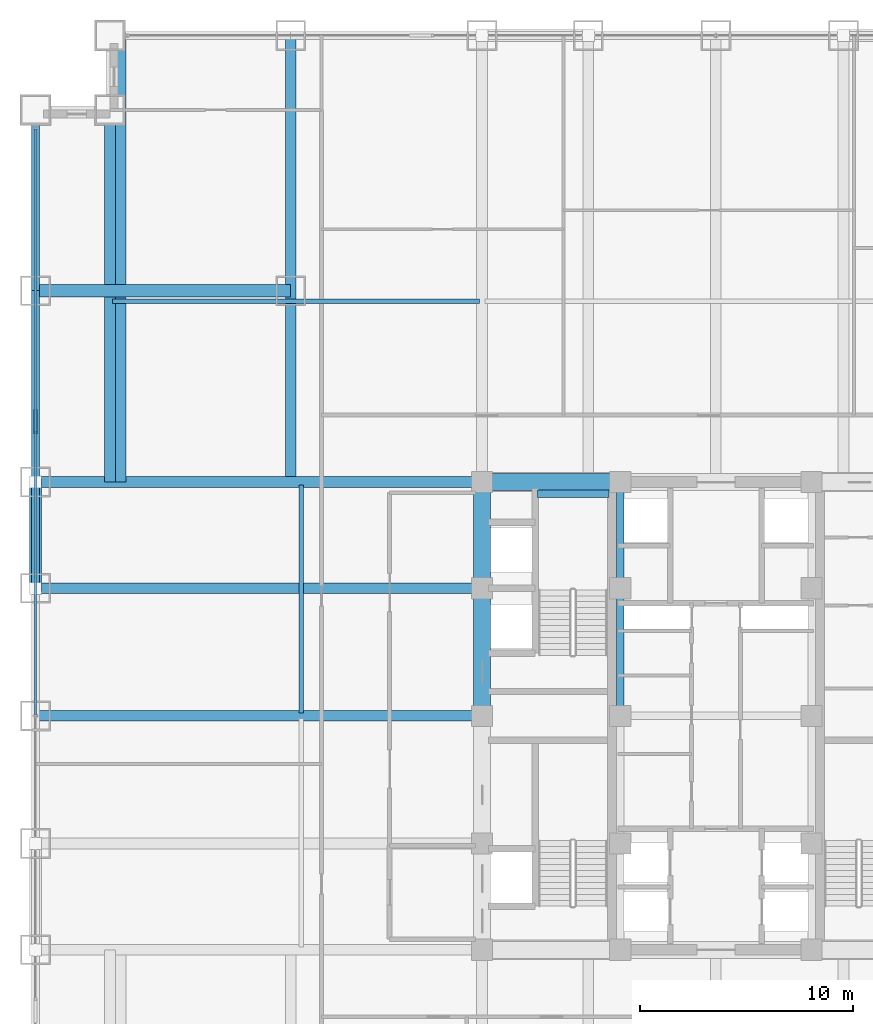
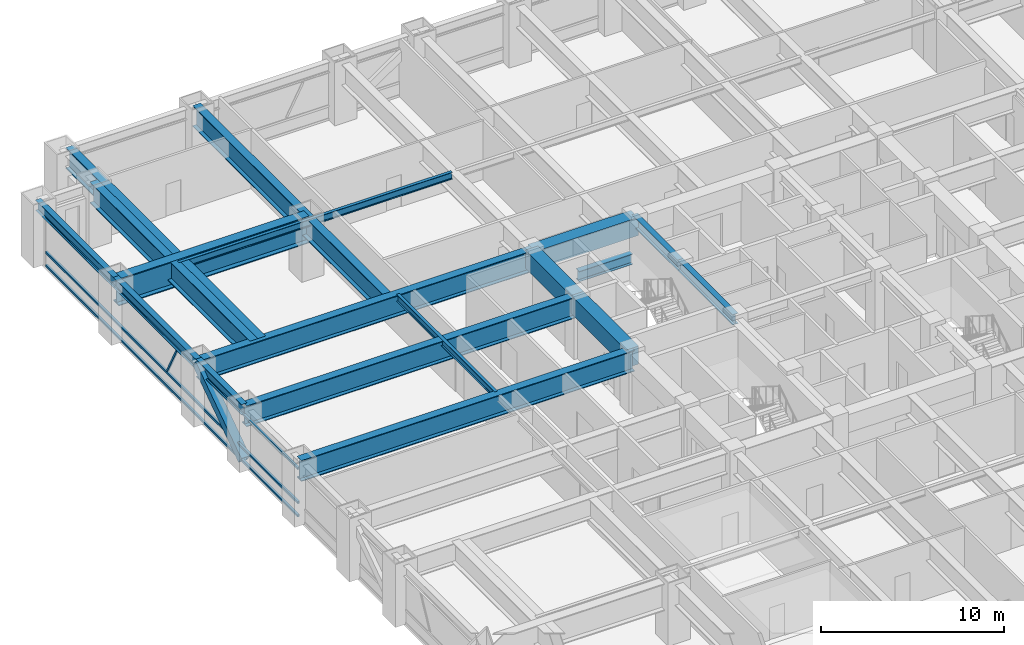
# One storey, part 9 of 29: 18 beams, 5 members, 1 element without a shape of its own.
"""IFC4 building model written with IfcOpenShell, lengths in metres."""

from ifc_helpers import new_model, si_unit, direction, frame, origin, origin_2d, place, context, subcontext, project, spatial, rectangle, hollow_rectangle, i_section, extrude, source, transform, mapped, material, material_profile, profile_set, type_object, element, aggregate, save


model = new_model("IFC4")

# Units and contexts
model_context = context("Model", 3, precision=1e-05, world=origin(), true_north=direction((0.0, 1.0)))
body_context = subcontext(model_context, "Body", "Model", "MODEL_VIEW")
ifc_project = project(units=[si_unit("LENGTHUNIT", "METRE"), si_unit("AREAUNIT", "SQUARE_METRE"), si_unit("VOLUMEUNIT", "CUBIC_METRE"), si_unit("PLANEANGLEUNIT", "RADIAN"), si_unit("MASSUNIT", "GRAM", prefix="KILO")], contexts=[model_context])

# Site, building, storey
site_placement = place(None, origin())
site = spatial("IfcSite", under=ifc_project, at=site_placement, CompositionType="ELEMENT")
building_placement = place(site_placement, origin())
building = spatial("IfcBuilding", under=site, at=building_placement, Name="Khorayat Bourse Tower", CompositionType="ELEMENT")
storey_placement = place(building_placement, frame((0.0, 0.0, 87.199951171875)))
storey = spatial("IfcBuildingStorey", under=building, at=storey_placement, Name="L19", CompositionType="ELEMENT", Elevation=87.199951171875)

# Beams
ifc_material_1 = material(Name="Concrete C72/90", Category="concrete")
ifc_material_profile_1 = material_profile(ifc_material_1, rectangle(XDim=0.800048828125, YDim=1.199951171875, at=origin_2d()), Name="RC 800x1200")
ifc_profile_set_1 = profile_set([ifc_material_profile_1], Name="Concrete C72/90")
beam_type_1 = type_object("IfcBeamType", Name="BM-COUP-1200", PredefinedType="BEAM", material=ifc_profile_set_1)
shared_shape_1 = source(origin(), body_context, "Body", "SweptSolid", [
    extrude(rectangle(XDim=0.800048828125, YDim=1.199951171875, at=origin_2d()), origin(), (0.0, 0.0, 1.0), 5.0),
])
beam_1_placement = place(storey_placement, frame((-11.0, 6.0, 3.340087890625), z_axis=(0.0, 1.0, 0.0), x_axis=(-1.0, 0.0, 0.0)))
element("IfcBeam", 1, at=beam_1_placement, inside=storey, type_object=beam_type_1, Name="L19 BM-COUP-1200 BM-L19-CRX-04", PredefinedType="BEAM", context=body_context, shape_type="MappedRepresentation", body=[
    mapped(shared_shape_1, transform((0.0, 0.0, 0.0), scale=1.0)),
])
shared_shape_2 = source(origin(), body_context, "Body", "SweptSolid", [
    extrude(rectangle(XDim=0.800048828125, YDim=1.199951171875, at=origin_2d()), origin(), (0.0, 0.0, 1.0), 6.0),
])
beam_2_placement = place(storey_placement, frame((-11.0, 0.0, 3.340087890625), z_axis=(0.0, 1.0, 0.0), x_axis=(-1.0, 0.0, 0.0)))
element("IfcBeam", 2, at=beam_2_placement, inside=storey, type_object=beam_type_1, Name="L19 BM-COUP-1200 BM-L19-CRX-03", PredefinedType="BEAM", context=body_context, shape_type="MappedRepresentation", body=[
    mapped(shared_shape_2, transform((0.0, 0.0, 0.0), scale=1.0)),
])
ifc_material_2 = material(Name="Steel ASTM A992 Grade 50", Category="steel")
ifc_material_profile_2 = material_profile(ifc_material_2, i_section(OverallWidth=0.35498046875, OverallDepth=0.695068359375, WebThickness=0.015380859375, FlangeThickness=0.02490234375, FilletRadius=0.01806640625, at=origin_2d()), Name="W690X217")
ifc_profile_set_2 = profile_set([ifc_material_profile_2], Name="Steel ASTM A992 Grade 50")
beam_type_2 = type_object("IfcBeamType", Name="BM-GIRD-690", PredefinedType="BEAM", material=ifc_profile_set_2)
shared_shape_3 = source(origin(), body_context, "Body", "SweptSolid", [
    extrude(i_section(OverallWidth=0.35498046875, OverallDepth=0.695068359375, WebThickness=0.015380859375, FlangeThickness=0.02490234375, FilletRadius=0.01806640625, at=origin_2d()), origin(), (0.0, 0.0, 1.0), 5.0),
])
beam_3_placement = place(storey_placement, frame((-4.5, 6.0, 3.592529296875), z_axis=(0.0, 1.0, 0.0), x_axis=(-1.0, 0.0, 0.0)))
element("IfcBeam", 3, at=beam_3_placement, inside=storey, type_object=beam_type_2, Name="L19 BM-GIRD-690 BM-L19-CRX-08", PredefinedType="BEAM", context=body_context, shape_type="MappedRepresentation", body=[
    mapped(shared_shape_3, transform((0.0, 0.0, 0.0), scale=1.0)),
])
shared_shape_4 = source(origin(), body_context, "Body", "SweptSolid", [
    extrude(i_section(OverallWidth=0.35498046875, OverallDepth=0.695068359375, WebThickness=0.015380859375, FlangeThickness=0.02490234375, FilletRadius=0.01806640625, at=origin_2d()), origin(), (0.0, 0.0, 1.0), 6.0),
])
beam_4_placement = place(storey_placement, frame((-4.5, 0.0, 3.592529296875), z_axis=(0.0, 1.0, 0.0), x_axis=(-1.0, 0.0, 0.0)))
element("IfcBeam", 4, at=beam_4_placement, inside=storey, type_object=beam_type_2, Name="L19 BM-GIRD-690 BM-L19-CRX-07", PredefinedType="BEAM", context=body_context, shape_type="MappedRepresentation", body=[
    mapped(shared_shape_4, transform((0.0, 0.0, 0.0), scale=1.0)),
])
shared_shape_5 = source(origin(), body_context, "Body", "SweptSolid", [
    extrude(rectangle(XDim=0.800048828125, YDim=1.199951171875, at=origin_2d()), origin(), (0.0, 0.0, 1.0), 6.5),
])
beam_5_placement = place(storey_placement, frame((-11.0, 11.0, 3.340087890625), z_axis=(1.0, 0.0, 0.0), x_axis=(0.0, 1.0, 0.0)))
element("IfcBeam", 5, at=beam_5_placement, inside=storey, type_object=beam_type_1, Name="L19 BM-COUP-1200 BM-L19-CRY-20", PredefinedType="BEAM", context=body_context, shape_type="MappedRepresentation", body=[
    mapped(shared_shape_5, transform((0.0, 0.0, 0.0), scale=1.0)),
])
shared_shape_6 = source(origin(), body_context, "Body", "SweptSolid", [
    extrude(i_section(OverallWidth=0.35498046875, OverallDepth=0.695068359375, WebThickness=0.015380859375, FlangeThickness=0.02490234375, FilletRadius=0.01806640625, at=origin_2d()), origin(), (0.0, 0.0, 1.0), 3.39990234375),
])
beam_6_placement = place(storey_placement, frame((-8.419921875, 10.449951171875, 1.552490234375), z_axis=(1.0, 0.0, 0.0), x_axis=(0.0, 1.0, 0.0)))
element("IfcBeam", 6, at=beam_6_placement, inside=storey, type_object=beam_type_2, Name="L19 BM-GIRD-690 BM-L19-ST2L", PredefinedType="BEAM", context=body_context, shape_type="MappedRepresentation", body=[
    mapped(shared_shape_6, transform((0.0, 0.0, 0.0), scale=1.0)),
])
ifc_material_3 = material(Name="Steel EN 10025-4 S460M", Category="steel")
ifc_material_profile_3 = material_profile(ifc_material_3, i_section(OverallWidth=0.60009765625, OverallDepth=1.800048828125, WebThickness=0.031982421875, FlangeThickness=0.06005859375, at=origin_2d()), Name="PG 1800x600x32x60")
ifc_profile_set_3 = profile_set([ifc_material_profile_3], Name="Steel EN 10025-4 S460M")
beam_type_3 = type_object("IfcBeamType", Name="BM-TR-1800", PredefinedType="BEAM", material=ifc_profile_set_3)
shared_shape_7 = source(origin(), body_context, "Body", "SweptSolid", [
    extrude(i_section(OverallWidth=0.60009765625, OverallDepth=1.800048828125, WebThickness=0.031982421875, FlangeThickness=0.06005859375, at=origin_2d()), origin(), (0.0, 0.0, 1.0), 12.0),
])
beam_7_placement = place(storey_placement, frame((-32.0, 20.0, 3.0400390625), z_axis=(1.0, 0.0, 0.0), x_axis=(0.0, 1.0, 0.0)))
element("IfcBeam", 7, at=beam_7_placement, inside=storey, type_object=beam_type_3, Name="L19 BM-TR-1800 BM-L19-CNRX-099", PredefinedType="BEAM", context=body_context, shape_type="MappedRepresentation", body=[
    mapped(shared_shape_7, transform((0.0, 0.0, 0.0), scale=1.0)),
])
ifc_material_profile_4 = material_profile(ifc_material_2, i_section(OverallWidth=0.35498046875, OverallDepth=0.695068359375, WebThickness=0.015380859375, FlangeThickness=0.02490234375, FilletRadius=0.01806640625, at=origin_2d()), Name="W690X217")
ifc_profile_set_4 = profile_set([ifc_material_profile_4], Name="Steel ASTM A992 Grade 50")
beam_type_4 = type_object("IfcBeamType", Name="BM-SPAN-690", PredefinedType="SPANDREL", material=ifc_profile_set_4)
shared_shape_8 = source(origin(), body_context, "Body", "SweptSolid", [
    extrude(i_section(OverallWidth=0.35498046875, OverallDepth=0.695068359375, WebThickness=0.015380859375, FlangeThickness=0.02490234375, FilletRadius=0.01806640625, at=origin_2d()), origin(), (0.0, 0.0, 1.0), 8.5),
])
beam_8_placement = place(storey_placement, frame((-32.0, 20.0, 3.592529296875), z_axis=(0.0, 1.0, 0.0), x_axis=(-1.0, 0.0, 0.0)))
element("IfcBeam", 8, at=beam_8_placement, inside=storey, type_object=beam_type_4, Name="L19 BM-SPAN-690 BM-L19-SPN-054", PredefinedType="SPANDREL", context=body_context, shape_type="MappedRepresentation", body=[
    mapped(shared_shape_8, transform((0.0, 0.0, 0.0), scale=1.0)),
])
shared_shape_9 = source(origin(), body_context, "Body", "SweptSolid", [
    extrude(i_section(OverallWidth=0.35498046875, OverallDepth=0.695068359375, WebThickness=0.015380859375, FlangeThickness=0.02490234375, FilletRadius=0.01806640625, at=origin_2d()), origin(), (0.0, 0.0, 1.0), 9.0),
])
beam_9_placement = place(storey_placement, frame((-32.0, 11.0, 3.592529296875), z_axis=(0.0, 1.0, 0.0), x_axis=(-1.0, 0.0, 0.0)))
element("IfcBeam", 9, at=beam_9_placement, inside=storey, type_object=beam_type_4, Name="L19 BM-SPAN-690 BM-L19-SPN-055", PredefinedType="SPANDREL", context=body_context, shape_type="MappedRepresentation", body=[
    mapped(shared_shape_9, transform((0.0, 0.0, 0.0), scale=1.0)),
])
shared_shape_10 = source(origin(), body_context, "Body", "SweptSolid", [
    extrude(i_section(OverallWidth=0.35498046875, OverallDepth=0.695068359375, WebThickness=0.015380859375, FlangeThickness=0.02490234375, FilletRadius=0.01806640625, at=origin_2d()), origin(), (0.0, 0.0, 1.0), 5.0),
])
beam_10_placement = place(storey_placement, frame((-32.0, 6.0, 3.592529296875), z_axis=(0.0, 1.0, 0.0), x_axis=(-1.0, 0.0, 0.0)))
element("IfcBeam", 10, at=beam_10_placement, inside=storey, type_object=beam_type_4, Name="L19 BM-SPAN-690 BM-L19-SPN-056", PredefinedType="SPANDREL", context=body_context, shape_type="MappedRepresentation", body=[
    mapped(shared_shape_10, transform((0.0, 0.0, 0.0), scale=1.0)),
])
ifc_material_profile_5 = material_profile(ifc_material_2, i_section(OverallWidth=0.194091796875, OverallDepth=0.468994140625, WebThickness=0.0126953125, FlangeThickness=0.0205078125, FilletRadius=0.012939453125, at=origin_2d()), Name="W460X106")
ifc_profile_set_5 = profile_set([ifc_material_profile_5], Name="Steel ASTM A992 Grade 50")
beam_type_5 = type_object("IfcBeamType", Name="BM-JOIST-460", PredefinedType="JOIST", material=ifc_profile_set_5)
shared_shape_11 = source(origin(), body_context, "Body", "SweptSolid", [
    extrude(i_section(OverallWidth=0.194091796875, OverallDepth=0.468994140625, WebThickness=0.0126953125, FlangeThickness=0.0205078125, FilletRadius=0.012939453125, at=origin_2d()), origin(), (0.0, 0.0, 1.0), 17.240234375),
])
beam_11_placement = place(storey_placement, frame((-28.3701171875, 19.5, 3.70556640625), z_axis=(1.0, 0.0, 0.0), x_axis=(0.0, 1.0, 0.0)))
element("IfcBeam", 11, at=beam_11_placement, inside=storey, type_object=beam_type_5, Name="L19 BM-JOIST-460 BM-L19-JSTX-107", PredefinedType="JOIST", context=body_context, shape_type="MappedRepresentation", body=[
    mapped(shared_shape_11, transform((0.0, 0.0, 0.0), scale=1.0)),
])
shared_shape_12 = source(origin(), body_context, "Body", "SweptSolid", [
    extrude(i_section(OverallWidth=0.194091796875, OverallDepth=0.468994140625, WebThickness=0.0126953125, FlangeThickness=0.0205078125, FilletRadius=0.012939453125, at=origin_2d()), origin(), (0.0, 0.0, 1.0), 10.740234375),
])
beam_12_placement = place(storey_placement, frame((-19.5, 0.1298828125, 3.70556640625), z_axis=(0.0, 1.0, 0.0), x_axis=(-1.0, 0.0, 0.0)))
element("IfcBeam", 12, at=beam_12_placement, inside=storey, type_object=beam_type_5, Name="L19 BM-JOIST-460 BM-L19-JSTY-111", PredefinedType="JOIST", context=body_context, shape_type="MappedRepresentation", body=[
    mapped(shared_shape_12, transform((0.0, 0.0, 0.0), scale=1.0)),
])

# Member
ifc_material_profile_6 = material_profile(ifc_material_3, hollow_rectangle(XDim=0.550048828125, YDim=0.550048828125, WallThickness=0.031982421875, at=origin_2d()), Name="HSS 550x550x32")
ifc_profile_set_6 = profile_set([ifc_material_profile_6], Name="Steel EN 10025-4 S460M")
member_type_1 = type_object("IfcMemberType", Name="MBR-TUBE-550", PredefinedType="BRACE", material=ifc_profile_set_6)
shared_shape_13 = source(origin(), body_context, "Body", "SweptSolid", [
    extrude(hollow_rectangle(XDim=0.550048828125, YDim=0.550048828125, WallThickness=0.031982421875, at=origin_2d()), origin(), (0.0, 0.0, 1.0), 6.069091796875),
])
member_1_placement = place(storey_placement, frame((-32.0, 6.0, 0.25), z_axis=(0.0, 0.823854080622, 0.566801952928), x_axis=(-1.0, 0.0, 0.0)))
element("IfcMember", 13, at=member_1_placement, inside=storey, type_object=member_type_1, Name="L19 Perimeter Tube Brace 06", PredefinedType="BRACE", context=body_context, shape_type="MappedRepresentation", body=[
    mapped(shared_shape_13, transform((0.0, 0.0, 0.0), scale=1.0)),
])

# Beams
ifc_material_profile_7 = material_profile(ifc_material_3, i_section(OverallWidth=0.5, OverallDepth=1.39990234375, WebThickness=0.02490234375, FlangeThickness=0.050048828125, at=origin_2d()), Name="PG 1400x500x25x50")
ifc_profile_set_7 = profile_set([ifc_material_profile_7], Name="Steel EN 10025-4 S460M")
beam_type_6 = type_object("IfcBeamType", Name="BM-TR-1400", PredefinedType="BEAM", material=ifc_profile_set_7)
shared_shape_14 = source(origin(), body_context, "Body", "SweptSolid", [
    extrude(i_section(OverallWidth=0.5, OverallDepth=1.39990234375, WebThickness=0.02490234375, FlangeThickness=0.050048828125, at=origin_2d()), origin(), (0.0, 0.0, 1.0), 21.0),
])
for number, where, z_axis, x_axis, name in (
    (14, (-32.0, 0.0, 3.239990234375), (1.0, 0.0, 0.0), (0.0, 1.0, 0.0), "L19 BM-TR-1400 BM-L19-RADX-079"),
    (15, (-32.0, 6.0, 3.239990234375), (1.0, 0.0, 0.0), (0.0, 1.0, 0.0), "L19 BM-TR-1400 BM-L19-RADX-081"),
    (16, (-32.0, 11.0, 3.239990234375), (1.0, 0.0, 0.0), (0.0, 1.0, 0.0), "L19 BM-TR-1400 BM-L19-RADX-083"),
    (17, (-20.0, 11.0, 3.239990234375), (0.0, 1.0, 0.0), (-1.0, 0.0, 0.0), "L19 BM-TR-1400 BM-L19-CNRY-085"),
    (18, (-28.0, 11.0, 3.239990234375), (0.0, 1.0, 0.0), (-1.0, 0.0, 0.0), "L19 BM-TR-1400 BM-L19-CNRY-089"),
):
    element("IfcBeam", number, at=place(storey_placement, frame(where, z_axis=z_axis, x_axis=x_axis)), inside=storey, type_object=beam_type_6, Name=name, PredefinedType="BEAM", context=body_context, shape_type="MappedRepresentation", body=[
        mapped(shared_shape_14, transform((0.0, 0.0, 0.0), scale=1.0)),
    ])
shared_shape_15 = source(origin(), body_context, "Body", "SweptSolid", [
    extrude(i_section(OverallWidth=0.5, OverallDepth=1.39990234375, WebThickness=0.02490234375, FlangeThickness=0.050048828125, at=origin_2d()), origin(), (0.0, 0.0, 1.0), 17.5),
])
beam_13_placement = place(storey_placement, frame((-28.5, 11.0, 3.239990234375), z_axis=(0.0, 1.0, 0.0), x_axis=(-1.0, 0.0, 0.0)))
element("IfcBeam", 19, at=beam_13_placement, inside=storey, type_object=beam_type_6, Name="L19 BM-TR-1400 BM-L19-CNRY-093", PredefinedType="BEAM", context=body_context, shape_type="MappedRepresentation", body=[
    mapped(shared_shape_15, transform((0.0, 0.0, 0.0), scale=1.0)),
])

# Curtain wall, members
ifc_material_4 = material(Name="Aluminium EN AW-6063 T6", Category="aluminium")
curtain_wall_type = type_object("IfcCurtainWallType", Name="CW-SYS-02", PredefinedType="NOTDEFINED", material=ifc_material_4)
curtain_wall_placement = place(storey_placement, origin())
curtain_wall = element("IfcCurtainWall", 20, at=curtain_wall_placement, inside=storey, type_object=curtain_wall_type, Name="L19 Curtain Wall CW-L19-W1", PredefinedType="NOTDEFINED")
ifc_material_profile_8 = material_profile(ifc_material_4, hollow_rectangle(XDim=0.1201171875, YDim=0.1201171875, WallThickness=0.0048828125, at=origin_2d()), Name="ALU 120x120x5")
ifc_profile_set_8 = profile_set([ifc_material_profile_8], Name="Aluminium EN AW-6063 T6")
member_type_2 = type_object("IfcMemberType", Name="CWM-DIAG-120", PredefinedType="MULLION", material=ifc_profile_set_8)
shared_shape_16 = source(origin(), body_context, "Body", "SweptSolid", [
    extrude(hollow_rectangle(XDim=0.1201171875, YDim=0.1201171875, WallThickness=0.0048828125, at=origin_2d()), origin(), (0.0, 0.0, 1.0), 2.22607421875),
])
member_2_placement = place(storey_placement, frame((-32.0, 14.3583984375, 1.10009765625), z_axis=(0.0, -0.465759992596, 0.884911085532), x_axis=(1.0, 0.0, 0.0)))
member_2 = element("IfcMember", 21, at=member_2_placement, type_object=member_type_2, Name="CW-L19-W1 Faceted Diagonal Mullion 2", PredefinedType="MULLION", context=body_context, shape_type="MappedRepresentation", body=[
    mapped(shared_shape_16, transform((0.0, 0.0, 0.0), scale=1.0)),
])
ifc_material_profile_9 = material_profile(ifc_material_4, hollow_rectangle(XDim=0.139892578125, YDim=0.139892578125, WallThickness=0.006103515625, at=origin_2d()), Name="ALU 140x140x6")
ifc_profile_set_9 = profile_set([ifc_material_profile_9], Name="Aluminium EN AW-6063 T6")
member_type_3 = type_object("IfcMemberType", Name="CWT-HORZ-140", PredefinedType="USERDEFINED", material=ifc_profile_set_9)
shared_shape_17 = source(origin(), body_context, "Body", "SweptSolid", [
    extrude(hollow_rectangle(XDim=0.139892578125, YDim=0.139892578125, WallThickness=0.006103515625, at=origin_2d()), origin(), (0.0, 0.0, 1.0), 27.5400390625),
])
member_3_placement = place(storey_placement, frame((-32.0, 0.070068359375, 0.070068359375), z_axis=(0.0, 1.0, 0.0), x_axis=(-1.0, 0.0, 0.0)))
member_3 = element("IfcMember", 22, at=member_3_placement, type_object=member_type_3, Name="CW-L19-W1 Horizontal Transom 2-1", ObjectType="TRANSOM", PredefinedType="USERDEFINED", context=body_context, shape_type="MappedRepresentation", body=[
    mapped(shared_shape_17, transform((0.0, 0.0, 0.0), scale=1.0)),
])
member_4_placement = place(storey_placement, frame((-32.0, 0.070068359375, 0.949951171875), z_axis=(0.0, 1.0, 0.0), x_axis=(-1.0, 0.0, 0.0)))
member_4 = element("IfcMember", 23, at=member_4_placement, type_object=member_type_3, Name="CW-L19-W1 Horizontal Transom 2-2", ObjectType="TRANSOM", PredefinedType="USERDEFINED", context=body_context, shape_type="MappedRepresentation", body=[
    mapped(shared_shape_17, transform((0.0, 0.0, 0.0), scale=1.0)),
])
member_5_placement = place(storey_placement, frame((-32.0, 0.070068359375, 3.219970703125), z_axis=(0.0, 1.0, 0.0), x_axis=(-1.0, 0.0, 0.0)))
member_5 = element("IfcMember", 24, at=member_5_placement, type_object=member_type_3, Name="CW-L19-W1 Horizontal Transom 2-3", ObjectType="TRANSOM", PredefinedType="USERDEFINED", context=body_context, shape_type="MappedRepresentation", body=[
    mapped(shared_shape_17, transform((0.0, 0.0, 0.0), scale=1.0)),
])
aggregate(curtain_wall, [member_3, member_4, member_5, member_2])

save(model, "model.ifc")
